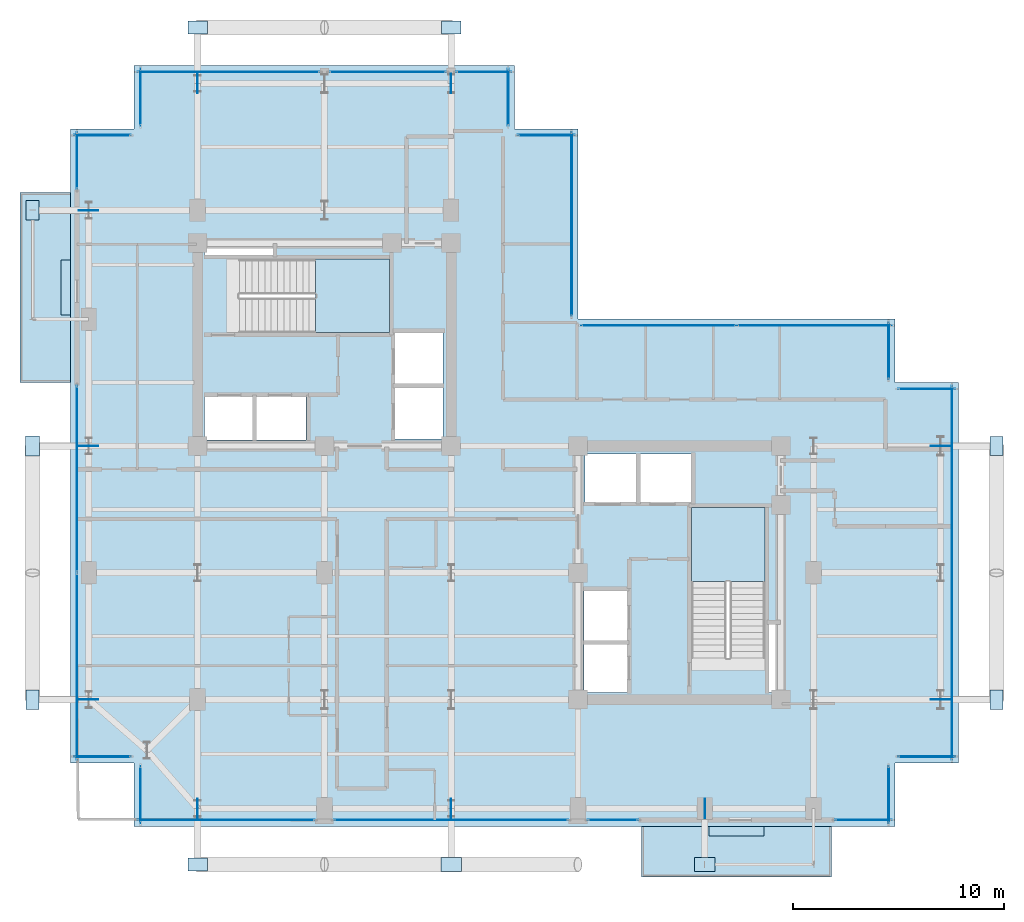
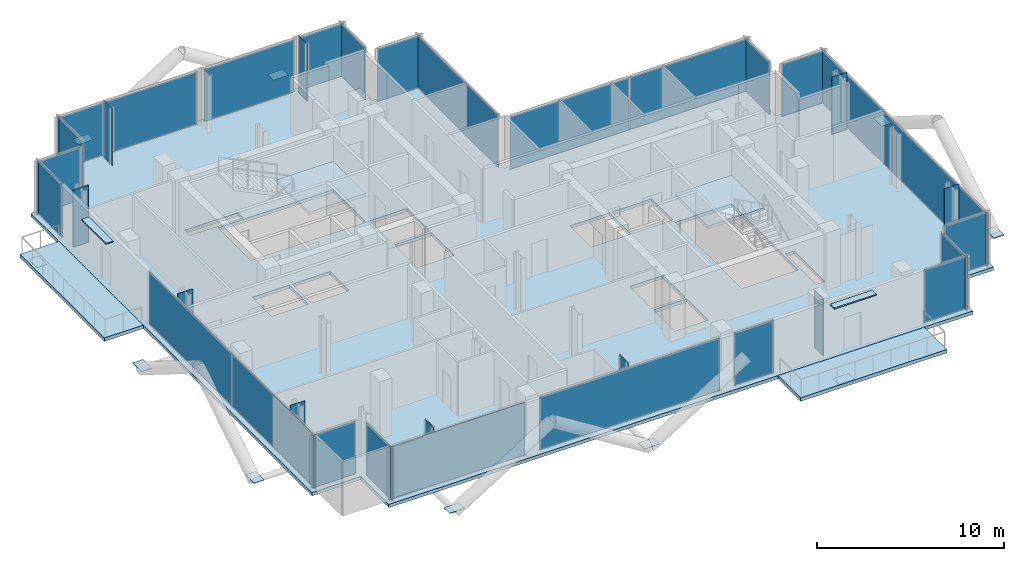
# One storey, part 16 of 25: 46 plates, 5 slabs, 24 elements without a shape of their own.
"""IFC4 building model written with IfcOpenShell, lengths in metres."""

from ifc_helpers import new_model, si_unit, direction, frame, origin, origin_2d, place, context, subcontext, project, spatial, polyline, rectangle, outline, extrude, material, layer, layer_set, type_object, element, aggregate, save


model = new_model("IFC4")

# Units and contexts
model_context = context("Model", 3, precision=1e-05, world=origin(), true_north=direction((0.0, 1.0)))
body_context = subcontext(model_context, "Body", "Model", "MODEL_VIEW")
ifc_project = project(units=[si_unit("LENGTHUNIT", "METRE"), si_unit("AREAUNIT", "SQUARE_METRE"), si_unit("VOLUMEUNIT", "CUBIC_METRE"), si_unit("PLANEANGLEUNIT", "RADIAN"), si_unit("MASSUNIT", "GRAM", prefix="KILO"), si_unit("THERMODYNAMICTEMPERATUREUNIT", "KELVIN"), si_unit("POWERUNIT", "WATT")], contexts=[model_context])

# Site, building, storey
site_placement = place(None, origin())
site = spatial("IfcSite", under=ifc_project, at=site_placement, CompositionType="ELEMENT")
building_placement = place(site_placement, origin())
building = spatial("IfcBuilding", under=site, at=building_placement, Name="Svarakhadi Broadcast Tower", CompositionType="ELEMENT")
storey_placement = place(building_placement, frame((0.0, 0.0, 212.39990234375)))
storey = spatial("IfcBuildingStorey", under=building, at=storey_placement, Name="L52", CompositionType="ELEMENT", Elevation=212.39990234375)

# Curtain wall, plate
ifc_material_1 = material(Name="Anodised Bronze Aluminium AA 6063-T6", Category="aluminium")
ifc_layer_1 = layer(ifc_material_1, 0.18994140625)
ifc_layer_set_1 = layer_set([ifc_layer_1], Name="Anodised Bronze Aluminium AA 6063-T6")
curtain_wall_type = type_object("IfcCurtainWallType", Name="CW_Sys_04", PredefinedType="NOTDEFINED", material=ifc_layer_set_1)
curtain_wall_1_placement = place(storey_placement, origin())
curtain_wall_1 = element("IfcCurtainWall", 1, at=curtain_wall_1_placement, inside=storey, type_object=curtain_wall_type, Name="L52 Unitised Facade Curtain Wall 01", PredefinedType="NOTDEFINED")
ifc_material_2 = material(Name="Double Low-E Laminated Acoustic Glass IGU 36 mm", Category="glass")
ifc_layer_2 = layer(ifc_material_2, 0.033935546875)
ifc_layer_set_2 = layer_set([ifc_layer_2], Name="Double Low-E Laminated Acoustic Glass IGU 36 mm")
plate_type_1 = type_object("IfcPlateType", Name="CW_Sys_04_Pnl", PredefinedType="CURTAIN_PANEL", material=ifc_layer_set_2)
plate_1_placement = place(storey_placement, frame((1.5, 3.300048828125, 0.06494140625), z_axis=(0.0, 0.0, 1.0), x_axis=(-1.0, 0.0, 0.0)))
plate_1 = element("IfcPlate", 2, at=plate_1_placement, type_object=plate_type_1, Name="CW-04 panel 1.1", PredefinedType="CURTAIN_PANEL", context=body_context, shape_type="SweptSolid", body=[
    extrude(rectangle(XDim=2.679931640625, YDim=0.033935546875, at=origin_2d()), origin(), (0.0, 0.0, 1.0), 3.409912109375),
])
aggregate(curtain_wall_1, [plate_1])

# Curtain wall, plates
curtain_wall_2_placement = place(storey_placement, origin())
curtain_wall_2 = element("IfcCurtainWall", 3, at=curtain_wall_2_placement, inside=storey, type_object=curtain_wall_type, Name="L52 West Curtain Wall 02", PredefinedType="NOTDEFINED")
plate_2_placement = place(storey_placement, frame((0.300048828125, 7.5625, 0.06494140625), z_axis=(0.0, 0.0, 1.0), x_axis=(0.0, 1.0, 0.0)))
plate_2 = element("IfcPlate", 4, at=plate_2_placement, type_object=plate_type_1, Name="CW-04 panel 1.1", PredefinedType="CURTAIN_PANEL", context=body_context, shape_type="SweptSolid", body=[
    extrude(rectangle(XDim=8.804931640625, YDim=0.033935546875, at=origin_2d()), origin(), (0.0, 0.0, 1.0), 3.409912109375),
])
plate_3_placement = place(storey_placement, frame((0.300048828125, 16.4375, 0.06494140625), z_axis=(0.0, 0.0, 1.0), x_axis=(0.0, 1.0, 0.0)))
plate_3 = element("IfcPlate", 5, at=plate_3_placement, type_object=plate_type_1, Name="CW-04 panel 2.1", PredefinedType="CURTAIN_PANEL", context=body_context, shape_type="SweptSolid", body=[
    extrude(rectangle(XDim=8.804931640625, YDim=0.033935546875, at=origin_2d()), origin(), (0.0, 0.0, 1.0), 3.409912109375),
])
aggregate(curtain_wall_2, [plate_2, plate_3])

# Curtain wall, plate
curtain_wall_3_placement = place(storey_placement, origin())
curtain_wall_3 = element("IfcCurtainWall", 6, at=curtain_wall_3_placement, inside=storey, type_object=curtain_wall_type, Name="L52 West Curtain Wall 03", PredefinedType="NOTDEFINED")
plate_4_placement = place(storey_placement, frame((0.300048828125, 31.5, 0.06494140625), z_axis=(0.0, 0.0, 1.0), x_axis=(0.0, 1.0, 0.0)))
plate_4 = element("IfcPlate", 7, at=plate_4_placement, type_object=plate_type_1, Name="CW-04 panel 1.1", PredefinedType="CURTAIN_PANEL", context=body_context, shape_type="SweptSolid", body=[
    extrude(rectangle(XDim=2.679931640625, YDim=0.033935546875, at=origin_2d()), origin(), (0.0, 0.0, 1.0), 3.409912109375),
])
aggregate(curtain_wall_3, [plate_4])

curtain_wall_4_placement = place(storey_placement, origin())
curtain_wall_4 = element("IfcCurtainWall", 8, at=curtain_wall_4_placement, inside=storey, type_object=curtain_wall_type, Name="L52 Unitised Facade Curtain Wall 04", PredefinedType="NOTDEFINED")
plate_5_placement = place(storey_placement, frame((1.5, 32.699951171875, 0.06494140625), z_axis=(0.0, 0.0, 1.0), x_axis=(1.0, 0.0, 0.0)))
plate_5 = element("IfcPlate", 9, at=plate_5_placement, type_object=plate_type_1, Name="CW-04 panel 1.1", PredefinedType="CURTAIN_PANEL", context=body_context, shape_type="SweptSolid", body=[
    extrude(rectangle(XDim=2.679931640625, YDim=0.033935546875, at=origin_2d()), origin(), (0.0, 0.0, 1.0), 3.409912109375),
])
aggregate(curtain_wall_4, [plate_5])

curtain_wall_5_placement = place(storey_placement, origin())
curtain_wall_5 = element("IfcCurtainWall", 10, at=curtain_wall_5_placement, inside=storey, type_object=curtain_wall_type, Name="L52 Unitised Facade Curtain Wall 05", PredefinedType="NOTDEFINED")
plate_6_placement = place(storey_placement, frame((3.300048828125, 34.5, 0.06494140625), z_axis=(0.0, 0.0, 1.0), x_axis=(0.0, 1.0, 0.0)))
plate_6 = element("IfcPlate", 11, at=plate_6_placement, type_object=plate_type_1, Name="CW-04 panel 1.1", PredefinedType="CURTAIN_PANEL", context=body_context, shape_type="SweptSolid", body=[
    extrude(rectangle(XDim=2.679931640625, YDim=0.033935546875, at=origin_2d()), origin(), (0.0, 0.0, 1.0), 3.409912109375),
])
aggregate(curtain_wall_5, [plate_6])

curtain_wall_6_placement = place(storey_placement, origin())
curtain_wall_6 = element("IfcCurtainWall", 12, at=curtain_wall_6_placement, inside=storey, type_object=curtain_wall_type, Name="L52 Unitised Facade Curtain Wall 06 Bay 1", PredefinedType="NOTDEFINED")
plate_7_placement = place(storey_placement, frame((7.4599609375, 35.699951171875, 0.06494140625), z_axis=(0.0, 0.0, 1.0), x_axis=(1.0, 0.0, 0.0)))
plate_7 = element("IfcPlate", 13, at=plate_7_placement, type_object=plate_type_1, Name="CW-04 panel 1.1", PredefinedType="CURTAIN_PANEL", context=body_context, shape_type="SweptSolid", body=[
    extrude(rectangle(XDim=8.60009765625, YDim=0.033935546875, at=origin_2d()), origin(), (0.0, 0.0, 1.0), 3.409912109375),
])
aggregate(curtain_wall_6, [plate_7])

curtain_wall_7_placement = place(storey_placement, origin())
curtain_wall_7 = element("IfcCurtainWall", 14, at=curtain_wall_7_placement, inside=storey, type_object=curtain_wall_type, Name="L52 Unitised Facade Curtain Wall 06 Bay 2", PredefinedType="NOTDEFINED")
plate_8_placement = place(storey_placement, frame((15.0, 35.699951171875, 0.06494140625), z_axis=(0.0, 0.0, 1.0), x_axis=(1.0, 0.0, 0.0)))
plate_8 = element("IfcPlate", 15, at=plate_8_placement, type_object=plate_type_1, Name="CW-04 panel 1.1", PredefinedType="CURTAIN_PANEL", context=body_context, shape_type="SweptSolid", body=[
    extrude(rectangle(XDim=5.52001953125, YDim=0.033935546875, at=origin_2d()), origin(), (0.0, 0.0, 1.0), 3.409912109375),
])
aggregate(curtain_wall_7, [plate_8])

curtain_wall_8_placement = place(storey_placement, origin())
curtain_wall_8 = element("IfcCurtainWall", 16, at=curtain_wall_8_placement, inside=storey, type_object=curtain_wall_type, Name="L52 Unitised Facade Curtain Wall 06 Bay 3", PredefinedType="NOTDEFINED")
plate_9_placement = place(storey_placement, frame((19.5400390625, 35.699951171875, 0.06494140625), z_axis=(0.0, 0.0, 1.0), x_axis=(1.0, 0.0, 0.0)))
plate_9 = element("IfcPlate", 17, at=plate_9_placement, type_object=plate_type_1, Name="CW-04 panel 1.1", PredefinedType="CURTAIN_PANEL", context=body_context, shape_type="SweptSolid", body=[
    extrude(rectangle(XDim=2.60009765625, YDim=0.033935546875, at=origin_2d()), origin(), (0.0, 0.0, 1.0), 3.409912109375),
])
aggregate(curtain_wall_8, [plate_9])

curtain_wall_9_placement = place(storey_placement, origin())
curtain_wall_9 = element("IfcCurtainWall", 18, at=curtain_wall_9_placement, inside=storey, type_object=curtain_wall_type, Name="L52 Unitised Facade Curtain Wall 07", PredefinedType="NOTDEFINED")
plate_10_placement = place(storey_placement, frame((20.699951171875, 34.5, 0.06494140625), z_axis=(0.0, 0.0, 1.0), x_axis=(0.0, -1.0, 0.0)))
plate_10 = element("IfcPlate", 19, at=plate_10_placement, type_object=plate_type_1, Name="CW-04 panel 1.1", PredefinedType="CURTAIN_PANEL", context=body_context, shape_type="SweptSolid", body=[
    extrude(rectangle(XDim=2.679931640625, YDim=0.033935546875, at=origin_2d()), origin(), (0.0, 0.0, 1.0), 3.409912109375),
])
aggregate(curtain_wall_9, [plate_10])

curtain_wall_10_placement = place(storey_placement, origin())
curtain_wall_10 = element("IfcCurtainWall", 20, at=curtain_wall_10_placement, inside=storey, type_object=curtain_wall_type, Name="L52 Unitised Facade Curtain Wall 08", PredefinedType="NOTDEFINED")
plate_11_placement = place(storey_placement, frame((22.5, 32.699951171875, 0.06494140625), z_axis=(0.0, 0.0, 1.0), x_axis=(1.0, 0.0, 0.0)))
plate_11 = element("IfcPlate", 21, at=plate_11_placement, type_object=plate_type_1, Name="CW-04 panel 1.1", PredefinedType="CURTAIN_PANEL", context=body_context, shape_type="SweptSolid", body=[
    extrude(rectangle(XDim=2.679931640625, YDim=0.033935546875, at=origin_2d()), origin(), (0.0, 0.0, 1.0), 3.409912109375),
])
aggregate(curtain_wall_10, [plate_11])

curtain_wall_11_placement = place(storey_placement, origin())
curtain_wall_11 = element("IfcCurtainWall", 22, at=curtain_wall_11_placement, inside=storey, type_object=curtain_wall_type, Name="L52 Unitised Facade Curtain Wall 09", PredefinedType="NOTDEFINED")
plate_12_placement = place(storey_placement, frame((23.699951171875, 28.5, 0.06494140625), z_axis=(0.0, 0.0, 1.0), x_axis=(0.0, -1.0, 0.0)))
plate_12 = element("IfcPlate", 23, at=plate_12_placement, type_object=plate_type_1, Name="CW-04 panel 1.1", PredefinedType="CURTAIN_PANEL", context=body_context, shape_type="SweptSolid", body=[
    extrude(rectangle(XDim=8.679931640625, YDim=0.033935546875, at=origin_2d()), origin(), (0.0, 0.0, 1.0), 3.409912109375),
])
aggregate(curtain_wall_11, [plate_12])

# Curtain wall, plates
curtain_wall_12_placement = place(storey_placement, origin())
curtain_wall_12 = element("IfcCurtainWall", 24, at=curtain_wall_12_placement, inside=storey, type_object=curtain_wall_type, Name="L52 Unitised Facade Curtain Wall 10", PredefinedType="NOTDEFINED")
plate_13_placement = place(storey_placement, frame((27.8125, 23.699951171875, 0.06494140625), z_axis=(0.0, 0.0, 1.0), x_axis=(1.0, 0.0, 0.0)))
plate_13 = element("IfcPlate", 25, at=plate_13_placement, type_object=plate_type_1, Name="CW-04 panel 1.1", PredefinedType="CURTAIN_PANEL", context=body_context, shape_type="SweptSolid", body=[
    extrude(rectangle(XDim=7.304931640625, YDim=0.033935546875, at=origin_2d()), origin(), (0.0, 0.0, 1.0), 3.409912109375),
])
plate_14_placement = place(storey_placement, frame((35.1875, 23.699951171875, 0.06494140625), z_axis=(0.0, 0.0, 1.0), x_axis=(1.0, 0.0, 0.0)))
plate_14 = element("IfcPlate", 26, at=plate_14_placement, type_object=plate_type_1, Name="CW-04 panel 2.1", PredefinedType="CURTAIN_PANEL", context=body_context, shape_type="SweptSolid", body=[
    extrude(rectangle(XDim=7.304931640625, YDim=0.033935546875, at=origin_2d()), origin(), (0.0, 0.0, 1.0), 3.409912109375),
])
aggregate(curtain_wall_12, [plate_13, plate_14])

# Curtain wall, plate
curtain_wall_13_placement = place(storey_placement, origin())
curtain_wall_13 = element("IfcCurtainWall", 27, at=curtain_wall_13_placement, inside=storey, type_object=curtain_wall_type, Name="L52 Unitised Facade Curtain Wall 11", PredefinedType="NOTDEFINED")
plate_15_placement = place(storey_placement, frame((38.699951171875, 22.5, 0.06494140625), z_axis=(0.0, 0.0, 1.0), x_axis=(0.0, -1.0, 0.0)))
plate_15 = element("IfcPlate", 28, at=plate_15_placement, type_object=plate_type_1, Name="CW-04 panel 1.1", PredefinedType="CURTAIN_PANEL", context=body_context, shape_type="SweptSolid", body=[
    extrude(rectangle(XDim=2.679931640625, YDim=0.033935546875, at=origin_2d()), origin(), (0.0, 0.0, 1.0), 3.409912109375),
])
aggregate(curtain_wall_13, [plate_15])

curtain_wall_14_placement = place(storey_placement, origin())
curtain_wall_14 = element("IfcCurtainWall", 29, at=curtain_wall_14_placement, inside=storey, type_object=curtain_wall_type, Name="L52 Unitised Facade Curtain Wall 12", PredefinedType="NOTDEFINED")
plate_16_placement = place(storey_placement, frame((40.5, 20.699951171875, 0.06494140625), z_axis=(0.0, 0.0, 1.0), x_axis=(1.0, 0.0, 0.0)))
plate_16 = element("IfcPlate", 30, at=plate_16_placement, type_object=plate_type_1, Name="CW-04 panel 1.1", PredefinedType="CURTAIN_PANEL", context=body_context, shape_type="SweptSolid", body=[
    extrude(rectangle(XDim=2.679931640625, YDim=0.033935546875, at=origin_2d()), origin(), (0.0, 0.0, 1.0), 3.409912109375),
])
aggregate(curtain_wall_14, [plate_16])

curtain_wall_15_placement = place(storey_placement, origin())
curtain_wall_15 = element("IfcCurtainWall", 31, at=curtain_wall_15_placement, inside=storey, type_object=curtain_wall_type, Name="L52 Unitised Facade Curtain Wall 13", PredefinedType="NOTDEFINED")
plate_17_placement = place(storey_placement, frame((41.699951171875, 12.0, 0.06494140625), z_axis=(0.0, 0.0, 1.0), x_axis=(0.0, -1.0, 0.0)))
plate_17 = element("IfcPlate", 32, at=plate_17_placement, type_object=plate_type_1, Name="CW-04 panel 1.1", PredefinedType="CURTAIN_PANEL", context=body_context, shape_type="SweptSolid", body=[
    extrude(rectangle(XDim=17.679931640625, YDim=0.033935546875, at=origin_2d()), origin(), (0.0, 0.0, 1.0), 3.409912109375),
])
aggregate(curtain_wall_15, [plate_17])

curtain_wall_16_placement = place(storey_placement, origin())
curtain_wall_16 = element("IfcCurtainWall", 33, at=curtain_wall_16_placement, inside=storey, type_object=curtain_wall_type, Name="L52 Unitised Facade Curtain Wall 14", PredefinedType="NOTDEFINED")
plate_18_placement = place(storey_placement, frame((40.5, 3.300048828125, 0.06494140625), z_axis=(0.0, 0.0, 1.0), x_axis=(-1.0, 0.0, 0.0)))
plate_18 = element("IfcPlate", 34, at=plate_18_placement, type_object=plate_type_1, Name="CW-04 panel 1.1", PredefinedType="CURTAIN_PANEL", context=body_context, shape_type="SweptSolid", body=[
    extrude(rectangle(XDim=2.679931640625, YDim=0.033935546875, at=origin_2d()), origin(), (0.0, 0.0, 1.0), 3.409912109375),
])
aggregate(curtain_wall_16, [plate_18])

curtain_wall_17_placement = place(storey_placement, origin())
curtain_wall_17 = element("IfcCurtainWall", 35, at=curtain_wall_17_placement, inside=storey, type_object=curtain_wall_type, Name="L52 Unitised Facade Curtain Wall 15", PredefinedType="NOTDEFINED")
plate_19_placement = place(storey_placement, frame((38.699951171875, 1.5, 0.06494140625), z_axis=(0.0, 0.0, 1.0), x_axis=(0.0, -1.0, 0.0)))
plate_19 = element("IfcPlate", 36, at=plate_19_placement, type_object=plate_type_1, Name="CW-04 panel 1.1", PredefinedType="CURTAIN_PANEL", context=body_context, shape_type="SweptSolid", body=[
    extrude(rectangle(XDim=2.679931640625, YDim=0.033935546875, at=origin_2d()), origin(), (0.0, 0.0, 1.0), 3.409912109375),
])
aggregate(curtain_wall_17, [plate_19])

curtain_wall_18_placement = place(storey_placement, origin())
curtain_wall_18 = element("IfcCurtainWall", 37, at=curtain_wall_18_placement, inside=storey, type_object=curtain_wall_type, Name="L52 South Curtain Wall 16", PredefinedType="NOTDEFINED")
plate_20_placement = place(storey_placement, frame((37.5, 0.300048828125, 0.06494140625), z_axis=(0.0, 0.0, 1.0), x_axis=(-1.0, 0.0, 0.0)))
plate_20 = element("IfcPlate", 38, at=plate_20_placement, type_object=plate_type_1, Name="CW-04 panel 1.1", PredefinedType="CURTAIN_PANEL", context=body_context, shape_type="SweptSolid", body=[
    extrude(rectangle(XDim=2.679931640625, YDim=0.033935546875, at=origin_2d()), origin(), (0.0, 0.0, 1.0), 3.409912109375),
])
aggregate(curtain_wall_18, [plate_20])

curtain_wall_19_placement = place(storey_placement, origin())
curtain_wall_19 = element("IfcCurtainWall", 39, at=curtain_wall_19_placement, inside=storey, type_object=curtain_wall_type, Name="L52 South Curtain Wall 17 Bay 1", PredefinedType="NOTDEFINED")
plate_21_placement = place(storey_placement, frame((25.652587890625, 0.300048828125, 0.06494140625), z_axis=(0.0, 0.0, 1.0), x_axis=(-1.0, 0.0, 0.0)))
plate_21 = element("IfcPlate", 40, at=plate_21_placement, type_object=plate_type_1, Name="CW-04 panel 1.1", PredefinedType="CURTAIN_PANEL", context=body_context, shape_type="SweptSolid", body=[
    extrude(rectangle(XDim=2.375, YDim=0.033935546875, at=origin_2d()), origin(), (0.0, 0.0, 1.0), 3.409912109375),
])
aggregate(curtain_wall_19, [plate_21])

curtain_wall_20_placement = place(storey_placement, origin())
curtain_wall_20 = element("IfcCurtainWall", 41, at=curtain_wall_20_placement, inside=storey, type_object=curtain_wall_type, Name="L52 South Curtain Wall 17 Bay 2", PredefinedType="NOTDEFINED")
plate_22_placement = place(storey_placement, frame((18.0, 0.300048828125, 0.06494140625), z_axis=(0.0, 0.0, 1.0), x_axis=(-1.0, 0.0, 0.0)))
plate_22 = element("IfcPlate", 42, at=plate_22_placement, type_object=plate_type_1, Name="CW-04 panel 1.1", PredefinedType="CURTAIN_PANEL", context=body_context, shape_type="SweptSolid", body=[
    extrude(rectangle(XDim=11.070068359375, YDim=0.033935546875, at=origin_2d()), origin(), (0.0, 0.0, 1.0), 3.409912109375),
])
aggregate(curtain_wall_20, [plate_22])

curtain_wall_21_placement = place(storey_placement, origin())
curtain_wall_21 = element("IfcCurtainWall", 43, at=curtain_wall_21_placement, inside=storey, type_object=curtain_wall_type, Name="L52 South Curtain Wall 17 Bay 3", PredefinedType="NOTDEFINED")
plate_23_placement = place(storey_placement, frame((7.347412109375, 0.300048828125, 0.06494140625), z_axis=(0.0, 0.0, 1.0), x_axis=(-1.0, 0.0, 0.0)))
plate_23 = element("IfcPlate", 44, at=plate_23_placement, type_object=plate_type_1, Name="CW-04 panel 1.1", PredefinedType="CURTAIN_PANEL", context=body_context, shape_type="SweptSolid", body=[
    extrude(rectangle(XDim=8.375, YDim=0.033935546875, at=origin_2d()), origin(), (0.0, 0.0, 1.0), 3.409912109375),
])
aggregate(curtain_wall_21, [plate_23])

curtain_wall_22_placement = place(storey_placement, origin())
curtain_wall_22 = element("IfcCurtainWall", 45, at=curtain_wall_22_placement, inside=storey, type_object=curtain_wall_type, Name="L52 Unitised Facade Curtain Wall 18", PredefinedType="NOTDEFINED")
plate_24_placement = place(storey_placement, frame((3.300048828125, 1.5, 0.06494140625), z_axis=(0.0, 0.0, 1.0), x_axis=(0.0, 1.0, 0.0)))
plate_24 = element("IfcPlate", 46, at=plate_24_placement, type_object=plate_type_1, Name="CW-04 panel 1.1", PredefinedType="CURTAIN_PANEL", context=body_context, shape_type="SweptSolid", body=[
    extrude(rectangle(XDim=2.679931640625, YDim=0.033935546875, at=origin_2d()), origin(), (0.0, 0.0, 1.0), 3.409912109375),
])
aggregate(curtain_wall_22, [plate_24])

# Plates
ifc_material_3 = material(Name="Steel S460ML (IS 2062 E450BR)", Category="steel")
ifc_layer_3 = layer(ifc_material_3, 0.028076171875)
ifc_layer_set_3 = layer_set([ifc_layer_3], Name="Steel S460ML (IS 2062 E450BR)")
plate_type_2 = type_object("IfcPlateType", Name="Node_Gusset_N03", PredefinedType="SHEET", material=ifc_layer_set_3)
for number, where, z_axis, x_axis, name in (
    (47, (18.0, -1.800048828125, -0.2099609375), (0.0, 0.0, 1.0), (1.0, 0.0, 0.0), "L52 Exoskeleton Gusset Node Plate S02"),
    (48, (30.0, -1.800048828125, -0.2099609375), (0.0, 0.0, 1.0), (1.0, 0.0, 0.0), "L52 Exoskeleton Gusset Node Plate S03"),
    (49, (-1.800048828125, 18.0, -0.2099609375), (0.0, 0.0, 1.0), (0.0, 1.0, 0.0), "L52 Exoskeleton Gusset Node Plate W05"),
):
    element("IfcPlate", number, at=place(storey_placement, frame(where, z_axis=z_axis, x_axis=x_axis)), inside=storey, type_object=plate_type_2, Name=name, PredefinedType="SHEET", context=body_context, shape_type="SweptSolid", body=[
        extrude(rectangle(XDim=0.9599609375, YDim=0.659912109375, at=origin_2d()), origin(), (0.0, 0.0, 1.0), 0.028076171875),
    ])
ifc_layer_4 = layer(ifc_material_3, 0.02587890625)
ifc_layer_set_4 = layer_set([ifc_layer_4], Name="Steel S460ML (IS 2062 E450BR)")
plate_type_3 = type_object("IfcPlateType", Name="Node_Gusset_N07", PredefinedType="SHEET", material=ifc_layer_set_4)
for number, where, z_axis, x_axis, name in (
    (50, (6.0, -1.800048828125, -0.2099609375), (0.0, 0.0, 1.0), (1.0, 0.0, 0.0), "L52 Exoskeleton Gusset Node Plate S01"),
    (51, (-1.800048828125, 6.0, -0.2099609375), (0.0, 0.0, 1.0), (0.0, 1.0, 0.0), "L52 Exoskeleton Gusset Node Plate W04"),
    (52, (-1.800048828125, 29.14990234375, -0.2099609375), (0.0, 0.0, 1.0), (0.0, 1.0, 0.0), "L52 Exoskeleton Gusset Node Plate W06"),
    (53, (43.800048828125, 6.0, -0.2099609375), (0.0, 0.0, 1.0), (0.0, 1.0, 0.0), "L52 Exoskeleton Gusset Node Plate E07"),
    (54, (43.800048828125, 18.0, -0.2099609375), (0.0, 0.0, 1.0), (0.0, 1.0, 0.0), "L52 Exoskeleton Gusset Node Plate E08"),
    (55, (6.0, 37.800048828125, -0.2099609375), (0.0, 0.0, 1.0), (1.0, 0.0, 0.0), "L52 Exoskeleton Gusset Node Plate N09"),
    (56, (18.0, 37.800048828125, -0.2099609375), (0.0, 0.0, 1.0), (1.0, 0.0, 0.0), "L52 Exoskeleton Gusset Node Plate N10"),
):
    element("IfcPlate", number, at=place(storey_placement, frame(where, z_axis=z_axis, x_axis=x_axis)), inside=storey, type_object=plate_type_3, Name=name, PredefinedType="SHEET", context=body_context, shape_type="SweptSolid", body=[
        extrude(rectangle(XDim=0.919921875, YDim=0.6201171875, at=origin_2d()), origin(), (0.0, 0.0, 1.0), 0.02587890625),
    ])
for number, where, z_axis, x_axis, name in (
    (57, (6.0, 0.85009765625, -0.57177734375), (0.0, 0.0, 1.0), (0.0, 1.0, 0.0), "L52 Brace End Connection Gusset Plate N-07-E0424"),
    (58, (18.0, 0.85009765625, -0.57177734375), (0.0, 0.0, 1.0), (0.0, 1.0, 0.0), "L52 Brace End Connection Gusset Plate N-07-E0425"),
    (59, (30.0, 0.85009765625, -0.57177734375), (0.0, 0.0, 1.0), (0.0, 1.0, 0.0), "L52 Brace End Connection Gusset Plate N-07-E0426"),
    (60, (0.85009765625, 6.0, -0.57177734375), (0.0, 0.0, 1.0), (1.0, 0.0, 0.0), "L52 Brace End Connection Gusset Plate N-07-E0427"),
    (61, (0.85009765625, 18.0, -0.57177734375), (0.0, 0.0, 1.0), (1.0, 0.0, 0.0), "L52 Brace End Connection Gusset Plate N-07-E0428"),
    (62, (0.85009765625, 29.14990234375, -0.57177734375), (0.0, 0.0, 1.0), (1.0, 0.0, 0.0), "L52 Brace End Connection Gusset Plate N-07-E0429"),
    (63, (41.14990234375, 6.0, -0.57177734375), (0.0, 0.0, 1.0), (1.0, 0.0, 0.0), "L52 Brace End Connection Gusset Plate N-07-E0430"),
    (64, (41.14990234375, 18.0, -0.57177734375), (0.0, 0.0, 1.0), (1.0, 0.0, 0.0), "L52 Brace End Connection Gusset Plate N-07-E0431"),
    (65, (6.0, 35.14990234375, -0.57177734375), (0.0, 0.0, 1.0), (0.0, 1.0, 0.0), "L52 Brace End Connection Gusset Plate N-07-E0432"),
    (66, (18.0, 35.14990234375, -0.57177734375), (0.0, 0.0, 1.0), (0.0, 1.0, 0.0), "L52 Brace End Connection Gusset Plate N-07-E0433"),
):
    element("IfcPlate", number, at=place(storey_placement, frame(where, z_axis=z_axis, x_axis=x_axis)), inside=storey, type_object=plate_type_3, Name=name, PredefinedType="SHEET", context=body_context, shape_type="SweptSolid", body=[
        extrude(rectangle(XDim=0.919921875, YDim=0.02587890625, at=origin_2d()), origin(), (0.0, 0.0, 1.0), 4.300048828125),
    ])

# Slab
ifc_material_4 = material(Name="Concrete C40/50 (IS 456 M50)", Category="concrete")
ifc_layer_5 = layer(ifc_material_4, 0.2099609375)
ifc_layer_set_5 = layer_set([ifc_layer_5], Name="Concrete C40/50 (IS 456 M50)")
slab_type_1 = type_object("IfcSlabType", Name="Slab_Floor_210", PredefinedType="FLOOR", material=ifc_layer_set_5)
slab_1_placement = place(storey_placement, frame((0.0, 0.0, -0.2099609375)))
element("IfcSlab", 67, at=slab_1_placement, inside=storey, type_object=slab_type_1, Name="L52 Structural Floor Slab", PredefinedType="FLOOR", context=body_context, shape_type="SweptSolid", body=[
    extrude(outline(polyline([(3.0, 0.0), (39.0, 0.0), (39.0, 3.0), (42.0, 3.0), (42.0, 21.0), (39.0, 21.0), (39.0, 24.0), (24.0, 24.0), (24.0, 33.0), (21.0, 33.0), (21.0, 36.0), (3.0, 36.0), (3.0, 33.0), (0.0, 33.0), (0.0, 3.0), (3.0, 3.0), (3.0, 0.0)]), holes=[polyline([(7.97998046875, 23.360107421875), (15.080078125, 23.360107421875), (15.080078125, 26.840087890625), (7.97998046875, 26.840087890625), (7.97998046875, 23.360107421875)]), polyline([(32.840087890625, 7.97998046875), (32.840087890625, 15.080078125), (29.360107421875, 15.080078125), (29.360107421875, 7.97998046875), (32.840087890625, 7.97998046875)]), polyline([(6.340087890625, 18.2900390625), (8.610107421875, 18.2900390625), (8.610107421875, 20.330078125), (6.340087890625, 20.330078125), (6.340087890625, 18.2900390625)]), polyline([(8.7900390625, 18.2900390625), (11.1298828125, 18.2900390625), (11.1298828125, 20.330078125), (8.7900390625, 20.330078125), (8.7900390625, 18.2900390625)]), polyline([(24.2900390625, 6.340087890625), (26.330078125, 6.340087890625), (26.330078125, 8.610107421875), (24.2900390625, 8.610107421875), (24.2900390625, 6.340087890625)]), polyline([(24.2900390625, 8.7900390625), (26.330078125, 8.7900390625), (26.330078125, 11.1298828125), (24.2900390625, 11.1298828125), (24.2900390625, 8.7900390625)]), polyline([(6.340087890625, 26.989990234375), (9.610107421875, 26.989990234375), (9.610107421875, 27.530029296875), (6.340087890625, 27.530029296875), (6.340087890625, 26.989990234375)]), polyline([(32.989990234375, 6.340087890625), (33.530029296875, 6.340087890625), (33.530029296875, 9.610107421875), (32.989990234375, 9.610107421875), (32.989990234375, 6.340087890625)]), polyline([(15.340087890625, 18.340087890625), (17.610107421875, 18.340087890625), (17.610107421875, 20.760009765625), (15.340087890625, 20.760009765625), (15.340087890625, 18.340087890625)]), polyline([(15.340087890625, 20.93994140625), (17.610107421875, 20.93994140625), (17.610107421875, 23.360107421875), (15.340087890625, 23.360107421875), (15.340087890625, 20.93994140625)]), polyline([(24.340087890625, 15.340087890625), (26.760009765625, 15.340087890625), (26.760009765625, 17.610107421875), (24.340087890625, 17.610107421875), (24.340087890625, 15.340087890625)]), polyline([(26.93994140625, 15.340087890625), (29.360107421875, 15.340087890625), (29.360107421875, 17.610107421875), (26.93994140625, 17.610107421875), (26.93994140625, 15.340087890625)])]), origin(), (0.0, 0.0, 1.0), 0.2099609375),
])

# Stair, slab
stair_type = type_object("IfcStairType", Name="Stair_Exit_Core", PredefinedType="HALF_TURN_STAIR", material=ifc_material_4)
stair_1_placement = place(storey_placement, origin())
stair_1 = element("IfcStair", 68, at=stair_1_placement, inside=storey, type_object=stair_type, Name="L52 West Core Protected Exit Stair ST-01", PredefinedType="HALF_TURN_STAIR")
ifc_layer_6 = layer(ifc_material_4, 0.199951171875)
ifc_layer_set_6 = layer_set([ifc_layer_6], Name="Concrete C40/50 (IS 456 M50)")
slab_type_2 = type_object("IfcSlabType", Name="Slab_Stair_Land", PredefinedType="LANDING", material=ifc_layer_set_6)
slab_2_placement = place(storey_placement, frame((0.0, 0.0, 1.675048828125)))
slab_2 = element("IfcSlab", 69, at=slab_2_placement, type_object=slab_type_2, Name="ST-01 landing 1", PredefinedType="LANDING", context=body_context, shape_type="SweptSolid", body=[
    extrude(outline(polyline([(11.580078125, 23.360107421875), (15.080078125, 23.360107421875), (15.080078125, 26.840087890625), (11.580078125, 26.840087890625), (11.580078125, 23.360107421875)])), origin(), (0.0, 0.0, 1.0), 0.199951171875),
])
aggregate(stair_1, [slab_2])

stair_2_placement = place(storey_placement, origin())
stair_2 = element("IfcStair", 70, at=stair_2_placement, inside=storey, type_object=stair_type, Name="L52 East Core Protected Exit Stair ST-02", PredefinedType="HALF_TURN_STAIR")
slab_3_placement = place(storey_placement, frame((0.0, 0.0, 1.675048828125)))
slab_3 = element("IfcSlab", 71, at=slab_3_placement, type_object=slab_type_2, Name="ST-02 landing 1", PredefinedType="LANDING", context=body_context, shape_type="SweptSolid", body=[
    extrude(outline(polyline([(32.840087890625, 11.580078125), (32.840087890625, 15.080078125), (29.360107421875, 15.080078125), (29.360107421875, 11.580078125), (32.840087890625, 11.580078125)])), origin(), (0.0, 0.0, 1.0), 0.199951171875),
])
aggregate(stair_2, [slab_3])

# Slabs
ifc_layer_7 = layer(ifc_material_4, 0.22509765625)
ifc_layer_set_7 = layer_set([ifc_layer_7], Name="Concrete C40/50 (IS 456 M50)")
slab_type_3 = type_object("IfcSlabType", Name="Slab_TreeBalcony", PredefinedType="FLOOR", material=ifc_layer_set_7)
slab_4_placement = place(storey_placement, frame((0.0, 0.0, -0.224853515625)))
element("IfcSlab", 72, at=slab_4_placement, inside=storey, type_object=slab_type_3, Name="L52 Planted Tree Balcony Slab BAL-E", PredefinedType="FLOOR", context=body_context, shape_type="SweptSolid", body=[
    extrude(outline(polyline([(27.0, -2.39990234375), (36.0, -2.39990234375), (36.0, 0.0), (27.0, 0.0), (27.0, -2.39990234375)])), origin(), (0.0, 0.0, 1.0), 0.224853515625),
])
slab_5_placement = place(storey_placement, frame((0.0, 0.0, -0.224853515625)))
element("IfcSlab", 73, at=slab_5_placement, inside=storey, type_object=slab_type_3, Name="L52 Planted Tree Balcony Slab BAL-N", PredefinedType="FLOOR", context=body_context, shape_type="SweptSolid", body=[
    extrude(outline(polyline([(-2.39990234375, 21.0), (0.0, 21.0), (0.0, 30.0), (-2.39990234375, 30.0), (-2.39990234375, 21.0)])), origin(), (0.0, 0.0, 1.0), 0.224853515625),
])

# Plates
ifc_layer_8 = layer(ifc_material_1, 0.080078125)
ifc_layer_set_8 = layer_set([ifc_layer_8], Name="Anodised Bronze Aluminium AA 6063-T6")
plate_type_4 = type_object("IfcPlateType", Name="Sunshade_Fin_SS01", PredefinedType="USERDEFINED", material=ifc_layer_set_8)
for number, where, z_axis, x_axis, name in (
    (74, (31.5, -0.22509765625, 3.4599609375), (0.0, 0.0, 1.0), (1.0, 0.0, 0.0), "L52 South Bronze Brise-Soleil Sunshade SS-01"),
    (75, (-0.22509765625, 25.5, 3.4599609375), (0.0, 0.0, 1.0), (0.0, 1.0, 0.0), "L52 West Bronze Brise-Soleil Sunshade SS-01"),
):
    element("IfcPlate", number, at=place(storey_placement, frame(where, z_axis=z_axis, x_axis=x_axis)), inside=storey, type_object=plate_type_4, Name=name, ObjectType="SUNSHADE", PredefinedType="USERDEFINED", context=body_context, shape_type="SweptSolid", body=[
        extrude(rectangle(XDim=2.60009765625, YDim=0.449951171875, at=origin_2d()), origin(), (0.0, 0.0, 1.0), 0.080078125),
    ])

save(model, "model.ifc")
